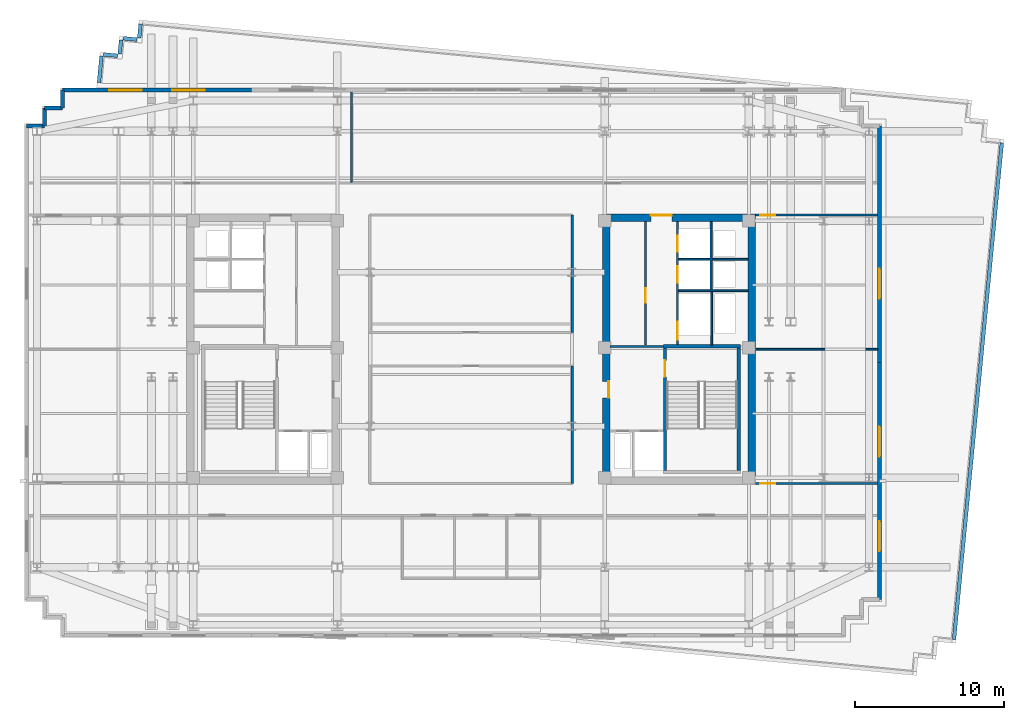
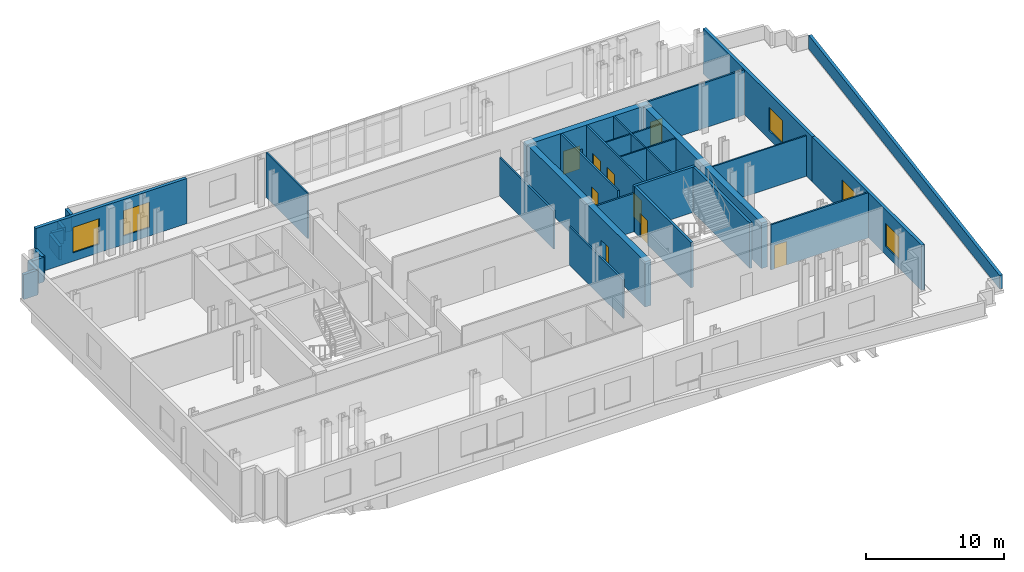
# One storey, part 7 of 11: 33 walls, 9 doors, 5 windows, 14 openings.
"""IFC4 building model written with IfcOpenShell, lengths in metres."""

import ifcopenshell
import ifcopenshell.guid

model = None  # the IFC model being written
_history = None  # IfcOwnerHistory: only IFC2X3 demands one
_inside = {}  # id of a spatial element -> (the spatial element, [elements in it])
_under = {}  # id of a project, library or spatial element -> (it, [spatial elements below it])
_declared = {}  # id of a project -> (the project, [libraries it declares])
_typed = {}  # id of a type object -> (the type object, [elements of that type])
_made_of = {}  # id of a material, layer set ... -> (it, [elements and type objects made of it])


def new_model(schema):
    """Start an empty IFC model of exactly this schema.

    Asked for "IFC4X3", IfcOpenShell would pick the latest addendum, in which some entities
    have other attributes; the version numbers below select the first issue.
    IFC2X3 requires an IfcOwnerHistory on every rooted entity: one is made here for all.
    """
    global model, _history
    if schema == "IFC4X3":
        model = ifcopenshell.file(schema_version=(4, 3, 0, 0))
    else:
        model = ifcopenshell.file(schema=schema)
    _inside.clear()
    _under.clear()
    _declared.clear()
    _typed.clear()
    _made_of.clear()
    _history = None
    if model.schema == "IFC2X3":
        org = make("IfcOrganization", Name="unknown")
        user = make(
            "IfcPersonAndOrganization",
            ThePerson=make("IfcPerson", FamilyName="unknown"),
            TheOrganization=org,
        )
        app = make(
            "IfcApplication",
            ApplicationDeveloper=org,
            Version="unknown",
            ApplicationFullName="unknown",
            ApplicationIdentifier="unknown",
        )
        _history = make(
            "IfcOwnerHistory",
            OwningUser=user,
            OwningApplication=app,
            ChangeAction="ADDED",
            CreationDate=0,
        )
    return model


def make(cls, **values):
    """One entity of the class cls with the attributes given. An attribute that is None is left unset."""
    return model.create_entity(
        cls, **{name: value for name, value in values.items() if value is not None}
    )


def rooted(cls, **values):
    """An entity with a GlobalId (a new one), such as an element, a storey or a relation."""
    return make(cls, GlobalId=ifcopenshell.guid.new(), OwnerHistory=_history, **values)


def si_unit(unit_type, name, prefix=None):
    """IfcSIUnit, for example si_unit("LENGTHUNIT", "METRE", prefix="MILLI")."""
    return make("IfcSIUnit", UnitType=unit_type, Prefix=prefix, Name=name)


def assignment(units):
    """IfcUnitAssignment: the units of a project."""
    return None if units is None else make("IfcUnitAssignment", Units=units)


def point(xyz):
    """IfcCartesianPoint."""
    return None if xyz is None else make("IfcCartesianPoint", Coordinates=xyz)


def direction(xyz):
    """IfcDirection."""
    return None if xyz is None else make("IfcDirection", DirectionRatios=xyz)


def frame(location, z_axis=None, x_axis=None):
    """IfcAxis2Placement3D, a coordinate frame: its origin and axes. An axis left out is left unset."""
    return make(
        "IfcAxis2Placement3D",
        Location=point(location),
        Axis=direction(z_axis),
        RefDirection=direction(x_axis),
    )


def frame_2d(location, x_axis=None):
    """IfcAxis2Placement2D, a coordinate frame in the plane: its origin and x axis."""
    return make(
        "IfcAxis2Placement2D", Location=point(location), RefDirection=direction(x_axis)
    )


def origin():
    """The frame at (0, 0, 0) with its axes left unset."""
    return frame((0.0, 0.0, 0.0))


def place(relative_to, where):
    """IfcLocalPlacement: puts the frame where relative to a parent placement (None: the world)."""
    return make(
        "IfcLocalPlacement", PlacementRelTo=relative_to, RelativePlacement=where
    )


def context(
    kind, dimensions, precision=None, world=None, true_north=None, identifier=None
):
    """IfcGeometricRepresentationContext, for example the 3D "Model" context."""
    return make(
        "IfcGeometricRepresentationContext",
        ContextIdentifier=identifier,
        ContextType=kind,
        CoordinateSpaceDimension=dimensions,
        Precision=precision,
        WorldCoordinateSystem=world,
        TrueNorth=true_north,
    )


def subcontext(parent, identifier, kind, view, scale=None):
    """IfcGeometricRepresentationSubContext, for example "Body" below "Model"."""
    return make(
        "IfcGeometricRepresentationSubContext",
        ContextIdentifier=identifier,
        ContextType=kind,
        ParentContext=parent,
        TargetScale=scale,
        TargetView=view,
    )


def project(units=None, contexts=None):
    """IfcProject with its units and contexts."""
    return rooted(
        "IfcProject",
        Name="project",
        RepresentationContexts=contexts,
        UnitsInContext=assignment(units),
    )


def spatial(cls, under=None, at=None, **own):
    """A site, building, storey or space (cls), placed at a placement, below another one or the project."""
    s = rooted(cls, ObjectPlacement=at, **own)
    if under is not None:
        _under.setdefault(under.id(), (under, []))[1].append(s)
    return s


def profile(cls, at=None, kind="AREA", **sizes):
    """A parametric profile (cls). Its sizes go by their IFC names, for example OverallWidth=200.0."""
    return make(cls, ProfileType=kind, Position=at, **sizes)


def rectangle(**sizes):
    """IfcRectangleProfileDef."""
    return profile("IfcRectangleProfileDef", **sizes)


def extrude(swept, where, along, depth):
    """IfcExtrudedAreaSolid: the profile swept, set in the frame where, extruded along a direction by depth."""
    return make(
        "IfcExtrudedAreaSolid",
        SweptArea=swept,
        Position=where,
        ExtrudedDirection=direction(along),
        Depth=depth,
    )


def shape(context_of_items, identifier, shape_type, items):
    """IfcShapeRepresentation: the items that make up one representation, for example the "Body"."""
    return make(
        "IfcShapeRepresentation",
        ContextOfItems=context_of_items,
        RepresentationIdentifier=identifier,
        RepresentationType=shape_type,
        Items=items,
    )


def material(Name=None, Category=None):
    """IfcMaterial."""
    return make("IfcMaterial", Name=Name, Category=Category)


def layer(
    of_material, thickness, ventilated=None, Name=None, Category=None, Priority=None
):
    """IfcMaterialLayer: one layer of a wall or slab, of a material (None: an air gap)."""
    return make(
        "IfcMaterialLayer",
        Material=of_material,
        LayerThickness=thickness,
        IsVentilated=ventilated,
        Name=Name,
        Category=Category,
        Priority=Priority,
    )


def layer_set(layers, Name=None):
    """IfcMaterialLayerSet."""
    return make("IfcMaterialLayerSet", MaterialLayers=layers, LayerSetName=Name)


def made_of(thing, what):
    """Note that an element or type object is made of a material, layer set ...; save() writes the relation."""
    if what is not None:
        _made_of.setdefault(what.id(), (what, []))[1].append(thing)
    return thing


def type_object(cls, material=None, **own):
    """A type object (cls), such as IfcWallType, which elements share."""
    return made_of(rooted(cls, **own), material)


def element(
    cls,
    number,
    at=None,
    inside=None,
    cuts=None,
    type_object=None,
    material=None,
    context=None,
    identifier="Body",
    shape_type=None,
    held_by="IfcProductDefinitionShape",
    body=None,
    shapes=None,
    **own,
):
    """One element of the class cls, such as IfcWall. Its Tag is "e" and its number.

    at: its placement. inside: the storey or other place that contains it. cuts: it is an
    opening in that element (IfcRelVoidsElement). A single representation is given by context,
    identifier, shape_type and body (its items); several are given by shapes. held_by: the class
    of the entity that holds the representations. save() writes the other relations.
    """
    e = rooted(cls, Tag="e%d" % number, ObjectPlacement=at, **own)
    if body is not None:
        shapes = [shape(context, identifier, shape_type, body)]
    if shapes is not None:
        e.Representation = make(held_by, Representations=shapes)
    if inside is not None:
        _inside.setdefault(inside.id(), (inside, []))[1].append(e)
    if cuts is not None:
        rooted(
            "IfcRelVoidsElement", RelatingBuildingElement=cuts, RelatedOpeningElement=e
        )
    if type_object is not None:
        _typed.setdefault(type_object.id(), (type_object, []))[1].append(e)
    return made_of(e, material)


def fill(opening, filler):
    """IfcRelFillsElement: the door or window that sits in an opening."""
    return rooted(
        "IfcRelFillsElement",
        RelatingOpeningElement=opening,
        RelatedBuildingElement=filler,
    )


def aggregate(whole, parts):
    """IfcRelAggregates: a whole, such as a stair, and the parts it consists of."""
    return rooted("IfcRelAggregates", RelatingObject=whole, RelatedObjects=parts)


def save(model, path):
    """Write the relations noted so far, then the file.

    IfcRelAggregates (storeys below a building ...), IfcRelContainedInSpatialStructure (elements
    in a storey), IfcRelDefinesByType, IfcRelAssociatesMaterial and IfcRelDeclares: one each for
    every whole, place, type object, material and project.
    """
    for whole, parts in _under.values():
        aggregate(whole, parts)
    for where, things in _inside.values():
        rooted(
            "IfcRelContainedInSpatialStructure",
            RelatedElements=things,
            RelatingStructure=where,
        )
    for kind, things in _typed.values():
        rooted("IfcRelDefinesByType", RelatedObjects=things, RelatingType=kind)
    for what, things in _made_of.values():
        rooted("IfcRelAssociatesMaterial", RelatedObjects=things, RelatingMaterial=what)
    for by, libraries in _declared.values():
        rooted("IfcRelDeclares", RelatingContext=by, RelatedDefinitions=libraries)
    model.write(path)


model = new_model("IFC4")

# Units and contexts
model_context = context("Model", 3, precision=1e-05, world=origin(), true_north=direction((0.0, 1.0)))
body_context = subcontext(model_context, "Body", "Model", "MODEL_VIEW")
ifc_project = project(units=[si_unit("LENGTHUNIT", "METRE"), si_unit("AREAUNIT", "SQUARE_METRE"), si_unit("VOLUMEUNIT", "CUBIC_METRE"), si_unit("PLANEANGLEUNIT", "RADIAN"), si_unit("MASSUNIT", "GRAM", prefix="KILO")], contexts=[model_context])

# Site, building, storey
site_placement = place(None, origin())
site = spatial("IfcSite", under=ifc_project, at=site_placement, CompositionType="ELEMENT")
building_placement = place(site_placement, origin())
building = spatial("IfcBuilding", under=site, at=building_placement, Name="Velakula Bourse", CompositionType="ELEMENT")
storey_placement = place(building_placement, frame((0.0, 0.0, 204.300048828125)))
storey = spatial("IfcBuildingStorey", under=building, at=storey_placement, Name="L55", CompositionType="ELEMENT", Elevation=204.300048828125)

# Wall, opening, door
ifc_material_1 = material(Name="Concrete M50 (fck 50 MPa)", Category="concrete")
ifc_layer_1 = layer(ifc_material_1, 0.2099609375, Name="Concrete M50 (fck 50 MPa)", Category="concrete")
ifc_layer_set_1 = layer_set([ifc_layer_1], Name="Concrete M50 (fck 50 MPa)")
wall_type_1 = type_object("IfcWallType", Name="WL-CORE-210", PredefinedType="SHEAR", material=ifc_layer_set_1)
wall_1_placement = place(storey_placement, frame((12.9951171875, -8.10009765625, 0.0), z_axis=(0.0, 0.0, 1.0), x_axis=(0.0, 1.0, 0.0)))
wall_1 = element("IfcWall", 1, at=wall_1_placement, inside=storey, type_object=wall_type_1, Name="L55 Core E Stairwell Shear Wall IN", PredefinedType="SHEAR", context=body_context, shape_type="SweptSolid", body=[
    extrude(rectangle(XDim=8.2001953125, YDim=0.2099609375, at=frame_2d((4.10009765625, 0.0))), origin(), (0.0, 0.0, 1.0), 4.02001953125),
])
opening_1_placement = place(wall_1_placement, frame((6.25, 0.0, 0.0)))
opening_1 = element("IfcOpeningElement", 2, at=opening_1_placement, cuts=wall_1, Name="Opening D-STE1", PredefinedType="OPENING", context=body_context, shape_type="SweptSolid", body=[
    extrude(rectangle(XDim=1.10009765625, YDim=2.14990234375, at=frame_2d((0.550048828125, 1.074951171875))), frame((0.0, 0.114990234375, 0.0), z_axis=(0.0, -1.0, 0.0), x_axis=(1.0, 0.0, 0.0)), (0.0, 0.0, 1.0), 0.22998046875),
])
ifc_material_2 = material(Name="Galvanised painted hollow steel fire door", Category="steel")
door_type_1 = type_object("IfcDoorType", Name="DR-FD120-1100x2150", OperationType="NOTDEFINED", PredefinedType="DOOR", material=ifc_material_2)
door_1_placement = place(opening_1_placement, origin())
door_1 = element("IfcDoor", 3, at=door_1_placement, inside=storey, type_object=door_type_1, Name="L55 Stair ST-E1 Fire Door", OperationType="SINGLE_SWING_RIGHT", OverallHeight=2.14990234375, OverallWidth=1.10009765625, PredefinedType="DOOR", context=body_context, shape_type="SweptSolid", body=[
    extrude(rectangle(XDim=1.10009765625, YDim=2.14990234375, at=frame_2d((0.550048828125, 1.074951171875))), frame((0.0, 0.02490234375, 0.0), z_axis=(0.0, -1.0, 0.0), x_axis=(1.0, 0.0, 0.0)), (0.0, 0.0, 1.0), 0.050048828125),
])
fill(opening_1, door_1)

# Walls
wall_2_placement = place(storey_placement, frame((17.925048828125, -8.10009765625, 0.0), z_axis=(0.0, 0.0, 1.0), x_axis=(0.0, 1.0, 0.0)))
element("IfcWall", 4, at=wall_2_placement, inside=storey, type_object=wall_type_1, Name="L55 Core E Stairwell Shear Wall OUT", PredefinedType="SHEAR", context=body_context, shape_type="SweptSolid", body=[
    extrude(rectangle(XDim=8.2001953125, YDim=0.2099609375, at=frame_2d((4.10009765625, 0.0))), origin(), (0.0, 0.0, 1.0), 4.02001953125),
])
wall_3_placement = place(storey_placement, frame((18.030029296875, 0.205078125, 0.0), z_axis=(0.0, 0.0, 1.0), x_axis=(-1.0, 0.0, 0.0)))
element("IfcWall", 5, at=wall_3_placement, inside=storey, type_object=wall_type_1, Name="L55 Core E Stairwell Shear Wall N", PredefinedType="SHEAR", context=body_context, shape_type="SweptSolid", body=[
    extrude(rectangle(XDim=5.14013671875, YDim=0.2099609375, at=frame_2d((2.570068359375, 0.0))), origin(), (0.0, 0.0, 1.0), 4.02001953125),
])

# Wall, opening, door
ifc_layer_2 = layer(ifc_material_1, 0.5, Name="Concrete M50 (fck 50 MPa)", Category="concrete")
ifc_layer_set_2 = layer_set([ifc_layer_2], Name="Concrete M50 (fck 50 MPa)")
wall_type_2 = type_object("IfcWallType", Name="WL-CORE-500", PredefinedType="SHEAR", material=ifc_layer_set_2)
wall_4_placement = place(storey_placement, frame((8.800048828125, 8.800048828125, 0.0), z_axis=(0.0, 0.0, 1.0), x_axis=(1.0, 0.0, 0.0)))
wall_4 = element("IfcWall", 6, at=wall_4_placement, inside=storey, type_object=wall_type_2, Name="L55 Core E Shear Wall N", PredefinedType="SHEAR", context=body_context, shape_type="SweptSolid", body=[
    extrude(rectangle(XDim=10.25, YDim=0.5, at=frame_2d((5.125, 0.0))), origin(), (0.0, 0.0, 1.0), 4.02001953125),
])
opening_2_placement = place(wall_4_placement, frame((3.25, 0.0, 0.0)))
opening_2 = element("IfcOpeningElement", 7, at=opening_2_placement, cuts=wall_4, Name="Opening D-LLE", PredefinedType="OPENING", context=body_context, shape_type="SweptSolid", body=[
    extrude(rectangle(XDim=1.39990234375, YDim=2.050048828125, at=frame_2d((0.699951171875, 1.02490234375))), frame((0.0, 0.260009765625, 0.0), z_axis=(0.0, -1.0, 0.0), x_axis=(1.0, 0.0, 0.0)), (0.0, 0.0, 1.0), 0.52001953125),
])
ifc_material_3 = material(Name="Fire-rated hardwood flush architectural door", Category="wood")
door_type_2 = type_object("IfcDoorType", Name="DR-DBL-FD60-1400", OperationType="DOUBLE_DOOR_SINGLE_SWING", PredefinedType="DOOR", material=ifc_material_3)
door_2_placement = place(opening_2_placement, origin())
door_2 = element("IfcDoor", 8, at=door_2_placement, inside=storey, type_object=door_type_2, Name="L55 Core E Lift Lobby Corridor Double Door", OperationType="DOUBLE_DOOR_SINGLE_SWING", OverallHeight=2.050048828125, OverallWidth=1.39990234375, PredefinedType="DOOR", context=body_context, shape_type="SweptSolid", body=[
    extrude(rectangle(XDim=1.39990234375, YDim=2.050048828125, at=frame_2d((0.699951171875, 1.02490234375))), frame((0.0, 0.19482421875, 0.0), z_axis=(0.0, -1.0, 0.0), x_axis=(1.0, 0.0, 0.0)), (0.0, 0.0, 1.0), 0.050048828125),
])
fill(opening_2, door_2)

wall_5_placement = place(storey_placement, frame((9.050048828125, -8.550048828125, 0.0), z_axis=(0.0, 0.0, 1.0), x_axis=(0.0, 1.0, 0.0)))
wall_5 = element("IfcWall", 9, at=wall_5_placement, inside=storey, type_object=wall_type_2, Name="L55 Core E Shear Wall W", PredefinedType="SHEAR", context=body_context, shape_type="SweptSolid", body=[
    extrude(rectangle(XDim=17.10009765625, YDim=0.5, at=frame_2d((8.550048828125, 0.0))), origin(), (0.0, 0.0, 1.0), 4.02001953125),
])
opening_3_placement = place(wall_5_placement, frame((5.300048828125, 0.0, 0.0)))
opening_3 = element("IfcOpeningElement", 10, at=opening_3_placement, cuts=wall_5, Name="Opening D-FLE", PredefinedType="OPENING", context=body_context, shape_type="SweptSolid", body=[
    extrude(rectangle(XDim=1.10009765625, YDim=2.080078125, at=frame_2d((0.550048828125, 1.0400390625))), frame((0.0, 0.260009765625, 0.0), z_axis=(0.0, -1.0, 0.0), x_axis=(1.0, 0.0, 0.0)), (0.0, 0.0, 1.0), 0.52001953125),
])
door_type_3 = type_object("IfcDoorType", Name="DR-FD120-1100", OperationType="NOTDEFINED", PredefinedType="DOOR", material=ifc_material_2)
door_3_placement = place(opening_3_placement, origin())
door_3 = element("IfcDoor", 11, at=door_3_placement, inside=storey, type_object=door_type_3, Name="L55 Firefighting Lobby E Corridor Fire Door", OperationType="SINGLE_SWING_RIGHT", OverallHeight=2.080078125, OverallWidth=1.10009765625, PredefinedType="DOOR", context=body_context, shape_type="SweptSolid", body=[
    extrude(rectangle(XDim=1.10009765625, YDim=2.080078125, at=frame_2d((0.550048828125, 1.0400390625))), frame((0.0, -0.15478515625, 0.0), z_axis=(0.0, -1.0, 0.0), x_axis=(1.0, 0.0, 0.0)), (0.0, 0.0, 1.0), 0.050048828125),
])
fill(opening_3, door_3)

# Wall
wall_6_placement = place(storey_placement, frame((18.800048828125, -8.550048828125, 0.0), z_axis=(0.0, 0.0, 1.0), x_axis=(0.0, 1.0, 0.0)))
element("IfcWall", 12, at=wall_6_placement, inside=storey, type_object=wall_type_2, Name="L55 Core E Shear Wall E", PredefinedType="SHEAR", context=body_context, shape_type="SweptSolid", body=[
    extrude(rectangle(XDim=17.10009765625, YDim=0.5, at=frame_2d((8.550048828125, 0.0))), origin(), (0.0, 0.0, 1.0), 4.02001953125),
])

# Wall, openings, windows
ifc_material_4 = material(Name="Buff kilned clay facing brick masonry", Category="masonry")
ifc_layer_3 = layer(ifc_material_4, 0.260009765625, Name="Buff kilned clay facing brick masonry", Category="masonry")
ifc_layer_set_3 = layer_set([ifc_layer_3], Name="Buff kilned clay facing brick masonry")
wall_type_3 = type_object("IfcWallType", Name="WL-EXT-BRK-260", PredefinedType="STANDARD", material=ifc_layer_set_3)
wall_7_placement = place(storey_placement, frame((-27.35009765625, 17.35009765625, 0.0), z_axis=(0.0, 0.0, 1.0), x_axis=(1.0, 0.0, 0.0)))
wall_7 = element("IfcWall", 13, at=wall_7_placement, inside=storey, type_object=wall_type_3, Name="L55 N Brick Spandrel Wall B1", PredefinedType="STANDARD", context=body_context, shape_type="SweptSolid", body=[
    extrude(rectangle(XDim=12.650146484375, YDim=0.260009765625, at=frame_2d((6.3251953125, 0.0))), origin(), (0.0, 0.0, 1.0), 4.0),
])
opening_4_placement = place(wall_7_placement, frame((3.11669921875, 0.0, 0.760009765625)))
opening_4 = element("IfcOpeningElement", 14, at=opening_4_placement, cuts=wall_7, Name="Opening W-08", PredefinedType="OPENING", context=body_context, shape_type="SweptSolid", body=[
    extrude(rectangle(XDim=2.199951171875, YDim=2.25, at=frame_2d((1.10009765625, 1.125))), frame((0.0, 0.139892578125, 0.0), z_axis=(0.0, -1.0, 0.0), x_axis=(1.0, 0.0, 0.0)), (0.0, 0.0, 1.0), 0.280029296875),
])
opening_5_placement = place(wall_7_placement, frame((7.333251953125, 0.0, 0.760009765625)))
opening_5 = element("IfcOpeningElement", 15, at=opening_5_placement, cuts=wall_7, Name="Opening W-08", PredefinedType="OPENING", context=body_context, shape_type="SweptSolid", body=[
    extrude(rectangle(XDim=2.199951171875, YDim=2.25, at=frame_2d((1.10009765625, 1.125))), frame((0.0, 0.139892578125, 0.0), z_axis=(0.0, -1.0, 0.0), x_axis=(1.0, 0.0, 0.0)), (0.0, 0.0, 1.0), 0.280029296875),
])
ifc_material_5 = material(Name="Double-glazed solar-control Low-E glass", Category="glass")
window_type_1 = type_object("IfcWindowType", Name="WIN-SL-2200x2500", PartitioningType="DOUBLE_PANEL_VERTICAL", PredefinedType="WINDOW", material=ifc_material_5)
window_1_placement = place(opening_4_placement, origin())
window_1 = element("IfcWindow", 16, at=window_1_placement, inside=storey, type_object=window_type_1, Name="L55 Deep-Set Recessed Window 1", OverallHeight=2.25, OverallWidth=2.199951171875, PartitioningType="DOUBLE_PANEL_VERTICAL", PredefinedType="WINDOW", context=body_context, shape_type="SweptSolid", body=[
    extrude(rectangle(XDim=2.199951171875, YDim=2.25, at=frame_2d((1.10009765625, 1.125))), frame((0.0, 0.030029296875, 0.0), z_axis=(0.0, -1.0, 0.0), x_axis=(1.0, 0.0, 0.0)), (0.0, 0.0, 1.0), 0.06005859375),
])
fill(opening_4, window_1)
window_2_placement = place(opening_5_placement, origin())
window_2 = element("IfcWindow", 17, at=window_2_placement, inside=storey, type_object=window_type_1, Name="L55 Deep-Set Recessed Window 2", OverallHeight=2.25, OverallWidth=2.199951171875, PartitioningType="DOUBLE_PANEL_VERTICAL", PredefinedType="WINDOW", context=body_context, shape_type="SweptSolid", body=[
    extrude(rectangle(XDim=2.199951171875, YDim=2.25, at=frame_2d((1.10009765625, 1.125))), frame((0.0, 0.030029296875, 0.0), z_axis=(0.0, -1.0, 0.0), x_axis=(1.0, 0.0, 0.0)), (0.0, 0.0, 1.0), 0.06005859375),
])
fill(opening_5, window_2)

wall_8_placement = place(storey_placement, frame((27.35009765625, -0.89990234375, 0.0), z_axis=(0.0, 0.0, 1.0), x_axis=(0.0, -1.0, 0.0)))
wall_8 = element("IfcWall", 18, at=wall_8_placement, inside=storey, type_object=wall_type_3, Name="L55 E Brick End Wall W1", PredefinedType="STANDARD", context=body_context, shape_type="SweptSolid", body=[
    extrude(rectangle(XDim=15.85009765625, YDim=0.260009765625, at=frame_2d((7.925048828125, 0.0))), origin(), (0.0, 0.0, 1.0), 4.0),
])
opening_6_placement = place(wall_8_placement, frame((4.283203125, 0.0, 0.760009765625)))
opening_6 = element("IfcOpeningElement", 19, at=opening_6_placement, cuts=wall_8, Name="Opening W-05", PredefinedType="OPENING", context=body_context, shape_type="SweptSolid", body=[
    extrude(rectangle(XDim=2.0, YDim=2.050048828125, at=frame_2d((1.0, 1.02490234375))), frame((0.0, 0.139892578125, 0.0), z_axis=(0.0, -1.0, 0.0), x_axis=(1.0, 0.0, 0.0)), (0.0, 0.0, 1.0), 0.280029296875),
])
opening_7_placement = place(wall_8_placement, frame((10.61669921875, 0.0, 0.760009765625)))
opening_7 = element("IfcOpeningElement", 20, at=opening_7_placement, cuts=wall_8, Name="Opening W-05", PredefinedType="OPENING", context=body_context, shape_type="SweptSolid", body=[
    extrude(rectangle(XDim=2.0, YDim=2.050048828125, at=frame_2d((1.0, 1.02490234375))), frame((0.0, 0.139892578125, 0.0), z_axis=(0.0, -1.0, 0.0), x_axis=(1.0, 0.0, 0.0)), (0.0, 0.0, 1.0), 0.280029296875),
])
window_type_2 = type_object("IfcWindowType", Name="WIN-TWR-2000x2200", PartitioningType="DOUBLE_PANEL_VERTICAL", PredefinedType="WINDOW", material=ifc_material_5)
window_3_placement = place(opening_6_placement, origin())
window_3 = element("IfcWindow", 21, at=window_3_placement, inside=storey, type_object=window_type_2, Name="L55 Deep-Set Recessed Window 1", OverallHeight=2.050048828125, OverallWidth=2.0, PartitioningType="DOUBLE_PANEL_VERTICAL", PredefinedType="WINDOW", context=body_context, shape_type="SweptSolid", body=[
    extrude(rectangle(XDim=2.0, YDim=2.050048828125, at=frame_2d((1.0, 1.02490234375))), frame((0.0, 0.030029296875, 0.0), z_axis=(0.0, -1.0, 0.0), x_axis=(1.0, 0.0, 0.0)), (0.0, 0.0, 1.0), 0.06005859375),
])
fill(opening_6, window_3)
window_4_placement = place(opening_7_placement, origin())
window_4 = element("IfcWindow", 22, at=window_4_placement, inside=storey, type_object=window_type_2, Name="L55 Deep-Set Recessed Window 2", OverallHeight=2.050048828125, OverallWidth=2.0, PartitioningType="DOUBLE_PANEL_VERTICAL", PredefinedType="WINDOW", context=body_context, shape_type="SweptSolid", body=[
    extrude(rectangle(XDim=2.0, YDim=2.050048828125, at=frame_2d((1.0, 1.02490234375))), frame((0.0, 0.030029296875, 0.0), z_axis=(0.0, -1.0, 0.0), x_axis=(1.0, 0.0, 0.0)), (0.0, 0.0, 1.0), 0.06005859375),
])
fill(opening_7, window_4)

# Wall, opening, window
wall_9_placement = place(storey_placement, frame((27.35009765625, 14.949951171875, 0.0), z_axis=(0.0, 0.0, 1.0), x_axis=(0.0, -1.0, 0.0)))
wall_9 = element("IfcWall", 23, at=wall_9_placement, inside=storey, type_object=wall_type_3, Name="L55 E Brick End Wall W2", PredefinedType="STANDARD", context=body_context, shape_type="SweptSolid", body=[
    extrude(rectangle(XDim=15.849853515625, YDim=0.260009765625, at=frame_2d((7.9248046875, 0.0))), origin(), (0.0, 0.0, 1.0), 4.0),
])
opening_8_placement = place(wall_9_placement, frame((9.566650390625, 0.0, 0.760009765625)))
opening_8 = element("IfcOpeningElement", 24, at=opening_8_placement, cuts=wall_9, Name="Opening W-05", PredefinedType="OPENING", context=body_context, shape_type="SweptSolid", body=[
    extrude(rectangle(XDim=2.0, YDim=2.050048828125, at=frame_2d((1.0, 1.02490234375))), frame((0.0, 0.139892578125, 0.0), z_axis=(0.0, -1.0, 0.0), x_axis=(1.0, 0.0, 0.0)), (0.0, 0.0, 1.0), 0.280029296875),
])
window_5_placement = place(opening_8_placement, origin())
window_5 = element("IfcWindow", 25, at=window_5_placement, inside=storey, type_object=window_type_2, Name="L55 Deep-Set Recessed Window 1", OverallHeight=2.050048828125, OverallWidth=2.0, PartitioningType="DOUBLE_PANEL_VERTICAL", PredefinedType="WINDOW", context=body_context, shape_type="SweptSolid", body=[
    extrude(rectangle(XDim=2.0, YDim=2.050048828125, at=frame_2d((1.0, 1.02490234375))), frame((0.0, 0.030029296875, 0.0), z_axis=(0.0, -1.0, 0.0), x_axis=(1.0, 0.0, 0.0)), (0.0, 0.0, 1.0), 0.06005859375),
])
fill(opening_8, window_5)

# Walls
wall_10_placement = place(storey_placement, frame((-27.35009765625, 17.35009765625, 0.0), z_axis=(0.0, 0.0, 1.0), x_axis=(0.0, -1.0, 0.0)))
element("IfcWall", 26, at=wall_10_placement, inside=storey, type_object=wall_type_3, Name="L55 Serrated Corner Brick Wall NW-1", PredefinedType="STANDARD", context=body_context, shape_type="SweptSolid", body=[
    extrude(rectangle(XDim=1.2001953125, YDim=0.260009765625, at=frame_2d((0.60009765625, 0.0))), origin(), (0.0, 0.0, 1.0), 2.195068359375),
])
for number, where, z_axis, x_axis, name in (
    (27, (-27.35009765625, 16.14990234375, 0.0), (0.0, 0.0, 1.0), (-1.0, 0.0, 0.0), "L55 Serrated Corner Brick Wall NW-2"),
    (28, (-28.550048828125, 16.14990234375, 0.0), (0.0, 0.0, 1.0), (0.0, -1.0, 0.0), "L55 Serrated Corner Brick Wall NW-3"),
    (29, (-28.550048828125, 14.949951171875, 0.0), (0.0, 0.0, 1.0), (-1.0, 0.0, 0.0), "L55 Serrated Corner Brick Wall NW-4"),
):
    element("IfcWall", number, at=place(storey_placement, frame(where, z_axis=z_axis, x_axis=x_axis)), inside=storey, type_object=wall_type_3, Name=name, PredefinedType="STANDARD", context=body_context, shape_type="SweptSolid", body=[
        extrude(rectangle(XDim=1.199951171875, YDim=0.260009765625, at=frame_2d((0.60009765625, 0.0))), origin(), (0.0, 0.0, 1.0), 2.195068359375),
    ])
ifc_layer_4 = layer(ifc_material_4, 0.25, Name="Buff kilned clay facing brick masonry", Category="masonry")
ifc_layer_set_4 = layer_set([ifc_layer_4], Name="Buff kilned clay facing brick masonry")
wall_type_4 = type_object("IfcWallType", Name="WL-PAR-ROOF-250", PredefinedType="PARAPET", material=ifc_layer_set_4)
for number, where, z_axis, x_axis, name in (
    (30, (-24.59814453125, 19.7421875, 0.0), (0.0, 0.0, 1.0), (0.995395693608, -0.095850994504, 0.0), "L55 Closed Roof Perimeter Parapet 1"),
    (31, (-23.5205078125, 19.769287109375, 0.0), (0.0, 0.0, 1.0), (0.095850994504, 0.995395693608, 0.0), "L55 Closed Roof Perimeter Parapet 2"),
):
    element("IfcWall", number, at=place(storey_placement, frame(where, z_axis=z_axis, x_axis=x_axis)), inside=storey, type_object=wall_type_4, Name=name, PredefinedType="PARAPET", context=body_context, shape_type="SweptSolid", body=[
        extrude(rectangle(XDim=0.93994140625, YDim=0.25, at=frame_2d((0.469970703125, 0.0))), origin(), (0.0, 0.0, 1.0), 1.199951171875),
    ])
wall_11_placement = place(storey_placement, frame((-23.288818359375, 20.82177734375, 0.0), z_axis=(0.0, 0.0, 1.0), x_axis=(0.995398079194, -0.095826217381, 0.0)))
element("IfcWall", 32, at=wall_11_placement, inside=storey, type_object=wall_type_4, Name="L55 Closed Roof Perimeter Parapet 3", PredefinedType="PARAPET", context=body_context, shape_type="SweptSolid", body=[
    extrude(rectangle(XDim=0.940185546875, YDim=0.25, at=frame_2d((0.47021484375, 0.0))), origin(), (0.0, 0.0, 1.0), 1.199951171875),
])
wall_12_placement = place(storey_placement, frame((-22.211181640625, 20.8486328125, 0.0), z_axis=(0.0, 0.0, 1.0), x_axis=(0.095850994504, 0.995395693608, 0.0)))
element("IfcWall", 33, at=wall_12_placement, inside=storey, type_object=wall_type_4, Name="L55 Closed Roof Perimeter Parapet 4", PredefinedType="PARAPET", context=body_context, shape_type="SweptSolid", body=[
    extrude(rectangle(XDim=0.93994140625, YDim=0.25, at=frame_2d((0.469970703125, 0.0))), origin(), (0.0, 0.0, 1.0), 1.199951171875),
])
wall_13_placement = place(storey_placement, frame((-24.910888671875, 17.849365234375, 0.0), z_axis=(0.0, 0.0, 1.0), x_axis=(0.095777585134, 0.995402759784, 0.0)))
element("IfcWall", 34, at=wall_13_placement, inside=storey, type_object=wall_type_4, Name="L55 Closed Roof Perimeter Parapet 6", PredefinedType="PARAPET", context=body_context, shape_type="SweptSolid", body=[
    extrude(rectangle(XDim=1.784423828125, YDim=0.25, at=frame_2d((0.89208984375, 0.0))), origin(), (0.0, 0.0, 1.0), 1.199951171875),
])
wall_14_placement = place(storey_placement, frame((35.541259765625, 13.821044921875, 0.0), z_axis=(0.0, 0.0, 1.0), x_axis=(-0.095843190754, -0.995396445034, 0.0)))
element("IfcWall", 35, at=wall_14_placement, inside=storey, type_object=wall_type_4, Name="L55 Closed Roof Perimeter Parapet 12", PredefinedType="PARAPET", context=body_context, shape_type="SweptSolid", body=[
    extrude(rectangle(XDim=33.400146484375, YDim=0.25, at=frame_2d((16.7001953125, 0.0))), origin(), (0.0, 0.0, 1.0), 1.199951171875),
])
ifc_material_6 = material(Name="Fire-rated double-layer gypsum drywall partition", Category="gypsum")
ifc_layer_5 = layer(ifc_material_6, 0.1201171875, Name="Fire-rated double-layer gypsum drywall partition", Category="gypsum")
ifc_layer_set_5 = layer_set([ifc_layer_5], Name="Fire-rated double-layer gypsum drywall partition")
wall_type_5 = type_object("IfcWallType", Name="WL-PART-120", PredefinedType="STANDARD", material=ifc_layer_set_5)
wall_15_placement = place(storey_placement, frame((13.89990234375, 3.919921875, 0.0), z_axis=(0.0, 0.0, 1.0), x_axis=(1.0, 0.0, 0.0)))
element("IfcWall", 36, at=wall_15_placement, inside=storey, type_object=wall_type_5, Name="L55 Interior Partition WL-CRE-L55-HI-S", PredefinedType="STANDARD", context=body_context, shape_type="SweptSolid", body=[
    extrude(rectangle(XDim=4.650146484375, YDim=0.1201171875, at=frame_2d((2.3251953125, 0.0))), origin(), (0.0, 0.0, 1.0), 4.0),
])
wall_16_placement = place(storey_placement, frame((16.14990234375, 6.030029296875, 0.0), z_axis=(0.0, 0.0, 1.0), x_axis=(1.0, 0.0, 0.0)))
element("IfcWall", 37, at=wall_16_placement, inside=storey, type_object=wall_type_5, Name="L55 Interior Partition WL-CRE-L55-RIS-MID", PredefinedType="STANDARD", context=body_context, shape_type="SweptSolid", body=[
    extrude(rectangle(XDim=2.400146484375, YDim=0.1201171875, at=frame_2d((1.2001953125, 0.0))), origin(), (0.0, 0.0, 1.0), 4.0),
])
wall_17_placement = place(storey_placement, frame((16.074951171875, 3.97998046875, 0.0), z_axis=(0.0, 0.0, 1.0), x_axis=(0.0, 1.0, 0.0)))
element("IfcWall", 38, at=wall_17_placement, inside=storey, type_object=wall_type_5, Name="L55 Interior Partition WL-CRE-L55-RIS-F", PredefinedType="STANDARD", context=body_context, shape_type="SweptSolid", body=[
    extrude(rectangle(XDim=4.570068359375, YDim=0.1201171875, at=frame_2d((2.28515625, 0.0))), origin(), (0.0, 0.0, 1.0), 4.0),
])
wall_18_placement = place(storey_placement, frame((13.89990234375, 6.030029296875, 0.0), z_axis=(0.0, 0.0, 1.0), x_axis=(1.0, 0.0, 0.0)))
element("IfcWall", 39, at=wall_18_placement, inside=storey, type_object=wall_type_5, Name="L55 Interior Partition WL-CRE-L55-HI-DIV", PredefinedType="STANDARD", context=body_context, shape_type="SweptSolid", body=[
    extrude(rectangle(XDim=2.10009765625, YDim=0.1201171875, at=frame_2d((1.050048828125, 0.0))), origin(), (0.0, 0.0, 1.0), 4.0),
])
wall_19_placement = place(storey_placement, frame((16.125, 0.27001953125, 0.0), z_axis=(0.0, 0.0, 1.0), x_axis=(0.0, 1.0, 0.0)))
element("IfcWall", 40, at=wall_19_placement, inside=storey, type_object=wall_type_5, Name="L55 Interior Partition WL-CRE-L55-SVL-E", PredefinedType="STANDARD", context=body_context, shape_type="SweptSolid", body=[
    extrude(rectangle(XDim=3.590087890625, YDim=0.1201171875, at=frame_2d((1.794921875, 0.0))), origin(), (0.0, 0.0, 1.0), 4.0),
])
wall_20_placement = place(storey_placement, frame((-8.006103515625, 11.18994140625, 0.0), z_axis=(0.0, 0.0, 1.0), x_axis=(0.0, 1.0, 0.0)))
element("IfcWall", 41, at=wall_20_placement, inside=storey, type_object=wall_type_5, Name="L55 Interior Partition WL-INT-L55-N-D1", PredefinedType="STANDARD", context=body_context, shape_type="SweptSolid", body=[
    extrude(rectangle(XDim=6.030029296875, YDim=0.1201171875, at=frame_2d((3.01513671875, 0.0))), origin(), (0.0, 0.0, 1.0), 4.0),
])
wall_21_placement = place(storey_placement, frame((19.050048828125, 0.0, 0.0), z_axis=(0.0, 0.0, 1.0), x_axis=(1.0, 0.0, 0.0)))
element("IfcWall", 42, at=wall_21_placement, inside=storey, type_object=wall_type_5, Name="L55 Interior Partition WL-INT-L55-E-H", PredefinedType="STANDARD", context=body_context, shape_type="SweptSolid", body=[
    extrude(rectangle(XDim=8.169921875, YDim=0.1201171875, at=frame_2d((4.0849609375, 0.0))), origin(), (0.0, 0.0, 1.0), 3.594970703125),
])

# Wall, opening, door
ifc_layer_6 = layer(ifc_material_6, 0.139892578125, Name="Fire-rated double-layer gypsum drywall partition", Category="gypsum")
ifc_layer_set_6 = layer_set([ifc_layer_6], Name="Fire-rated double-layer gypsum drywall partition")
wall_type_6 = type_object("IfcWallType", Name="WL-PART-140", PredefinedType="STANDARD", material=ifc_layer_set_6)
wall_22_placement = place(storey_placement, frame((19.050048828125, 8.97998046875, 0.0), z_axis=(0.0, 0.0, 1.0), x_axis=(1.0, 0.0, 0.0)))
wall_22 = element("IfcWall", 43, at=wall_22_placement, inside=storey, type_object=wall_type_6, Name="L55 Interior Partition WL-INT-L55-E-NC", PredefinedType="STANDARD", context=body_context, shape_type="SweptSolid", body=[
    extrude(rectangle(XDim=8.169921875, YDim=0.139892578125, at=frame_2d((4.0849609375, 0.0))), origin(), (0.0, 0.0, 1.0), 4.0),
])
opening_9_placement = place(wall_22_placement, frame((0.320068359375, 0.0, 0.0)))
opening_9 = element("IfcOpeningElement", 44, at=opening_9_placement, cuts=wall_22, Name="Opening D-OF1", PredefinedType="OPENING", context=body_context, shape_type="SweptSolid", body=[
    extrude(rectangle(XDim=1.0, YDim=2.080078125, at=frame_2d((0.5, 1.0400390625))), frame((0.0, 0.079833984375, 0.0), z_axis=(0.0, -1.0, 0.0), x_axis=(1.0, 0.0, 0.0)), (0.0, 0.0, 1.0), 0.159912109375),
])
door_type_4 = type_object("IfcDoorType", Name="DR-OFF-1000", OperationType="NOTDEFINED", PredefinedType="DOOR", material=ifc_material_3)
door_4_placement = place(opening_9_placement, origin())
door_4 = element("IfcDoor", 45, at=door_4_placement, inside=storey, type_object=door_type_4, Name="L55 Margin Control Office Door", OperationType="SINGLE_SWING_RIGHT", OverallHeight=2.080078125, OverallWidth=1.0, PredefinedType="DOOR", context=body_context, shape_type="SweptSolid", body=[
    extrude(rectangle(XDim=1.0, YDim=2.080078125, at=frame_2d((0.5, 1.0400390625))), frame((0.0, 0.02490234375, 0.0), z_axis=(0.0, -1.0, 0.0), x_axis=(1.0, 0.0, 0.0)), (0.0, 0.0, 1.0), 0.050048828125),
])
fill(opening_9, door_4)

wall_23_placement = place(storey_placement, frame((19.050048828125, -8.97998046875, 0.0), z_axis=(0.0, 0.0, 1.0), x_axis=(1.0, 0.0, 0.0)))
wall_23 = element("IfcWall", 46, at=wall_23_placement, inside=storey, type_object=wall_type_6, Name="L55 Interior Partition WL-INT-L55-E-SC", PredefinedType="STANDARD", context=body_context, shape_type="SweptSolid", body=[
    extrude(rectangle(XDim=8.169921875, YDim=0.139892578125, at=frame_2d((4.0849609375, 0.0))), origin(), (0.0, 0.0, 1.0), 4.0),
])
opening_10_placement = place(wall_23_placement, frame((0.320068359375, 0.0, 0.0)))
opening_10 = element("IfcOpeningElement", 47, at=opening_10_placement, cuts=wall_23, Name="Opening D-OF1", PredefinedType="OPENING", context=body_context, shape_type="SweptSolid", body=[
    extrude(rectangle(XDim=1.0, YDim=2.080078125, at=frame_2d((0.5, 1.0400390625))), frame((0.0, 0.079833984375, 0.0), z_axis=(0.0, -1.0, 0.0), x_axis=(1.0, 0.0, 0.0)), (0.0, 0.0, 1.0), 0.159912109375),
])
door_5_placement = place(opening_10_placement, origin())
door_5 = element("IfcDoor", 48, at=door_5_placement, inside=storey, type_object=door_type_4, Name="L55 Quantitative Research Workspace Door", OperationType="SINGLE_SWING_LEFT", OverallHeight=2.080078125, OverallWidth=1.0, PredefinedType="DOOR", context=body_context, shape_type="SweptSolid", body=[
    extrude(rectangle(XDim=1.0, YDim=2.080078125, at=frame_2d((0.5, 1.0400390625))), frame((0.0, 0.02490234375, 0.0), z_axis=(0.0, -1.0, 0.0), x_axis=(1.0, 0.0, 0.0)), (0.0, 0.0, 1.0), 0.050048828125),
])
fill(opening_10, door_5)

# Walls
for number, where, z_axis, x_axis, name in (
    (49, (6.780029296875, 1.1201171875, 0.0), (0.0, 0.0, 1.0), (0.0, 1.0, 0.0), "L55 Interior Partition WL-INT-L55-MN-E"),
    (50, (6.780029296875, -8.97998046875, 0.0), (0.0, 0.0, 1.0), (0.0, 1.0, 0.0), "L55 Interior Partition WL-INT-L55-MS-E"),
):
    element("IfcWall", number, at=place(storey_placement, frame(where, z_axis=z_axis, x_axis=x_axis)), inside=storey, type_object=wall_type_6, Name=name, PredefinedType="STANDARD", context=body_context, shape_type="SweptSolid", body=[
        extrude(rectangle(XDim=7.85986328125, YDim=0.139892578125, at=frame_2d((3.929931640625, 0.0))), origin(), (0.0, 0.0, 1.0), 3.39501953125),
    ])
ifc_material_7 = material(Name="Autoclaved aerated concrete blockwork masonry", Category="masonry")
ifc_layer_7 = layer(ifc_material_7, 0.14990234375, Name="Autoclaved aerated concrete blockwork masonry", Category="masonry")
ifc_layer_set_7 = layer_set([ifc_layer_7], Name="Autoclaved aerated concrete blockwork masonry")
wall_type_7 = type_object("IfcWallType", Name="WL-SHAFT-150", PredefinedType="STANDARD", material=ifc_layer_set_7)
wall_24_placement = place(storey_placement, frame((9.300048828125, 0.18994140625, 0.0), z_axis=(0.0, 0.0, 1.0), x_axis=(1.0, 0.0, 0.0)))
element("IfcWall", 51, at=wall_24_placement, inside=storey, type_object=wall_type_7, Name="L55 Interior Partition WL-CRE-L55-FF-TOP", PredefinedType="STANDARD", context=body_context, shape_type="SweptSolid", body=[
    extrude(rectangle(XDim=3.58984375, YDim=0.14990234375, at=frame_2d((1.794921875, 0.0))), origin(), (0.0, 0.0, 1.0), 3.39501953125),
])

# Wall, opening, door
wall_25_placement = place(storey_placement, frame((11.675048828125, 0.27001953125, 0.0), z_axis=(0.0, 0.0, 1.0), x_axis=(0.0, 1.0, 0.0)))
wall_25 = element("IfcWall", 52, at=wall_25_placement, inside=storey, type_object=wall_type_7, Name="L55 Interior Partition WL-CRE-L55-BANK-F", PredefinedType="STANDARD", context=body_context, shape_type="SweptSolid", body=[
    extrude(rectangle(XDim=8.280029296875, YDim=0.14990234375, at=frame_2d((4.14013671875, 0.0))), origin(), (0.0, 0.0, 1.0), 4.0),
])
opening_11_placement = place(wall_25_placement, frame((2.85009765625, 0.0, 0.0)))
opening_11 = element("IfcOpeningElement", 53, at=opening_11_placement, cuts=wall_25, Name="Opening D-RC5", PredefinedType="OPENING", context=body_context, shape_type="SweptSolid", body=[
    extrude(rectangle(XDim=0.949951171875, YDim=2.050048828125, at=frame_2d((0.47509765625, 1.02490234375))), frame((0.0, 0.0849609375, 0.0), z_axis=(0.0, -1.0, 0.0), x_axis=(1.0, 0.0, 0.0)), (0.0, 0.0, 1.0), 0.169921875),
])
door_type_5 = type_object("IfcDoorType", Name="DR-FD60-950x2050", OperationType="NOTDEFINED", PredefinedType="DOOR", material=ifc_material_3)
door_6_placement = place(opening_11_placement, origin())
door_6 = element("IfcDoor", 54, at=door_6_placement, inside=storey, type_object=door_type_5, Name="L55 Reclaimed Multi-Bay Depository Room Door", OperationType="SINGLE_SWING_LEFT", OverallHeight=2.050048828125, OverallWidth=0.949951171875, PredefinedType="DOOR", context=body_context, shape_type="SweptSolid", body=[
    extrude(rectangle(XDim=0.949951171875, YDim=2.050048828125, at=frame_2d((0.47509765625, 1.02490234375))), frame((0.0, 0.02490234375, 0.0), z_axis=(0.0, -1.0, 0.0), x_axis=(1.0, 0.0, 0.0)), (0.0, 0.0, 1.0), 0.050048828125),
])
fill(opening_11, door_6)

# Wall, openings, doors
wall_26_placement = place(storey_placement, frame((13.824951171875, 0.27001953125, 0.0), z_axis=(0.0, 0.0, 1.0), x_axis=(0.0, 1.0, 0.0)))
wall_26 = element("IfcWall", 55, at=wall_26_placement, inside=storey, type_object=wall_type_7, Name="L55 Interior Partition WL-CRE-L55-OUT-F", PredefinedType="STANDARD", context=body_context, shape_type="SweptSolid", body=[
    extrude(rectangle(XDim=8.280029296875, YDim=0.14990234375, at=frame_2d((4.14013671875, 0.0))), origin(), (0.0, 0.0, 1.0), 4.0),
])
opening_12_placement = place(wall_26_placement, frame((4.175048828125, 0.0, 0.0)))
opening_12 = element("IfcOpeningElement", 56, at=opening_12_placement, cuts=wall_26, Name="Opening LD-P11", PredefinedType="OPENING", context=body_context, shape_type="SweptSolid", body=[
    extrude(rectangle(XDim=1.10009765625, YDim=2.10009765625, at=frame_2d((0.550048828125, 1.050048828125))), frame((0.0, 0.0849609375, 0.0), z_axis=(0.0, -1.0, 0.0), x_axis=(1.0, 0.0, 0.0)), (0.0, 0.0, 1.0), 0.169921875),
])
opening_13_placement = place(wall_26_placement, frame((6.2451171875, 0.0, 0.0)))
opening_13 = element("IfcOpeningElement", 57, at=opening_13_placement, cuts=wall_26, Name="Opening LD-P12", PredefinedType="OPENING", context=body_context, shape_type="SweptSolid", body=[
    extrude(rectangle(XDim=1.10009765625, YDim=2.10009765625, at=frame_2d((0.550048828125, 1.050048828125))), frame((0.0, 0.0849609375, 0.0), z_axis=(0.0, -1.0, 0.0), x_axis=(1.0, 0.0, 0.0)), (0.0, 0.0, 1.0), 0.169921875),
])
opening_14_placement = place(wall_26_placement, frame((0.3798828125, 0.0, 0.0)))
opening_14 = element("IfcOpeningElement", 58, at=opening_14_placement, cuts=wall_26, Name="Opening LD-SVL1", PredefinedType="OPENING", context=body_context, shape_type="SweptSolid", body=[
    extrude(rectangle(XDim=1.199951171875, YDim=2.10009765625, at=frame_2d((0.60009765625, 1.050048828125))), frame((0.0, 0.0849609375, 0.0), z_axis=(0.0, -1.0, 0.0), x_axis=(1.0, 0.0, 0.0)), (0.0, 0.0, 1.0), 0.169921875),
])
ifc_material_8 = material(Name="Brushed grade 316 stainless steel", Category="steel")
door_type_6 = type_object("IfcDoorType", Name="DR-SLIDE-LD-1100", OperationType="DOUBLE_DOOR_SLIDING", PredefinedType="DOOR", material=ifc_material_8)
door_7_placement = place(opening_12_placement, origin())
door_7 = element("IfcDoor", 59, at=door_7_placement, inside=storey, type_object=door_type_6, Name="L55 Passenger Lift P11 Sliding Landing Door", OperationType="DOUBLE_DOOR_SLIDING", OverallHeight=2.10009765625, OverallWidth=1.10009765625, PredefinedType="DOOR", context=body_context, shape_type="SweptSolid", body=[
    extrude(rectangle(XDim=1.10009765625, YDim=2.10009765625, at=frame_2d((0.550048828125, 1.050048828125))), frame((0.0, 0.02490234375, 0.0), z_axis=(0.0, -1.0, 0.0), x_axis=(1.0, 0.0, 0.0)), (0.0, 0.0, 1.0), 0.050048828125),
])
fill(opening_12, door_7)
door_8_placement = place(opening_13_placement, origin())
door_8 = element("IfcDoor", 60, at=door_8_placement, inside=storey, type_object=door_type_6, Name="L55 Passenger Lift P12 Sliding Landing Door", OperationType="DOUBLE_DOOR_SLIDING", OverallHeight=2.10009765625, OverallWidth=1.10009765625, PredefinedType="DOOR", context=body_context, shape_type="SweptSolid", body=[
    extrude(rectangle(XDim=1.10009765625, YDim=2.10009765625, at=frame_2d((0.550048828125, 1.050048828125))), frame((0.0, 0.02490234375, 0.0), z_axis=(0.0, -1.0, 0.0), x_axis=(1.0, 0.0, 0.0)), (0.0, 0.0, 1.0), 0.050048828125),
])
fill(opening_13, door_8)
door_type_7 = type_object("IfcDoorType", Name="DR-SLIDE-LD-1200", OperationType="DOUBLE_DOOR_SLIDING", PredefinedType="DOOR", material=ifc_material_8)
door_9_placement = place(opening_14_placement, origin())
door_9 = element("IfcDoor", 61, at=door_9_placement, inside=storey, type_object=door_type_7, Name="L55 Service Lift SVL-1 Sliding Landing Door", OperationType="DOUBLE_DOOR_SLIDING", OverallHeight=2.10009765625, OverallWidth=1.199951171875, PredefinedType="DOOR", context=body_context, shape_type="SweptSolid", body=[
    extrude(rectangle(XDim=1.199951171875, YDim=2.10009765625, at=frame_2d((0.60009765625, 1.050048828125))), frame((0.0, 0.02490234375, 0.0), z_axis=(0.0, -1.0, 0.0), x_axis=(1.0, 0.0, 0.0)), (0.0, 0.0, 1.0), 0.050048828125),
])
fill(opening_14, door_9)

save(model, "model.ifc")
